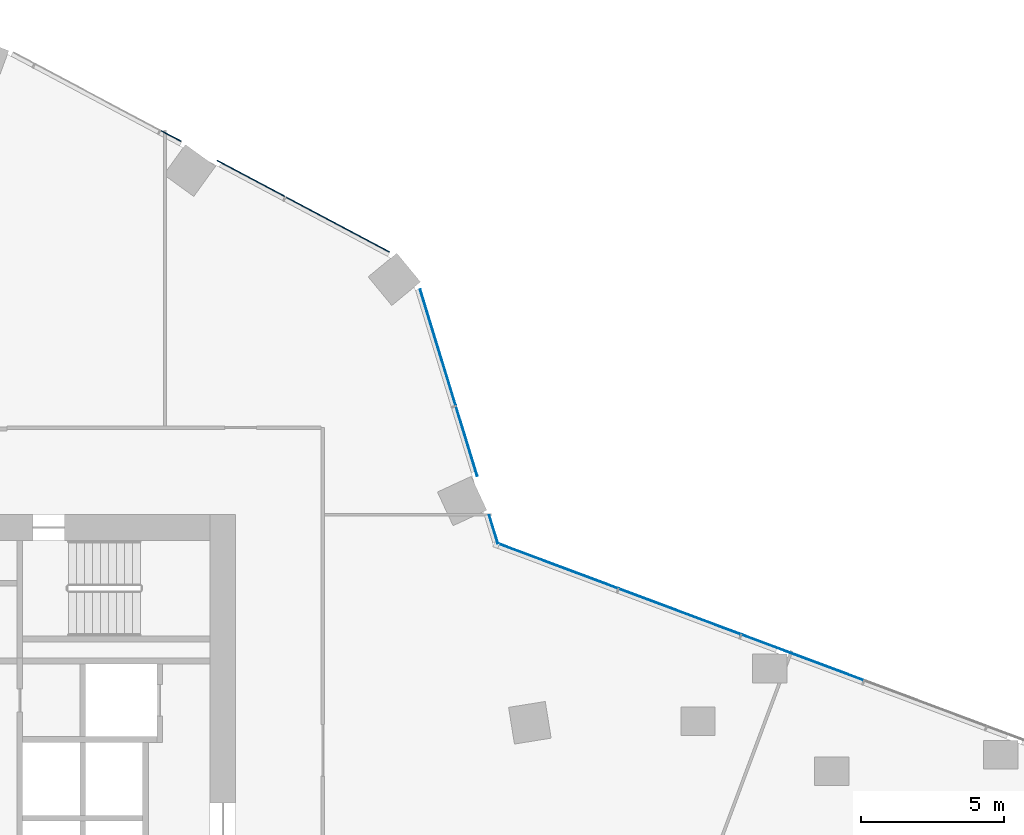
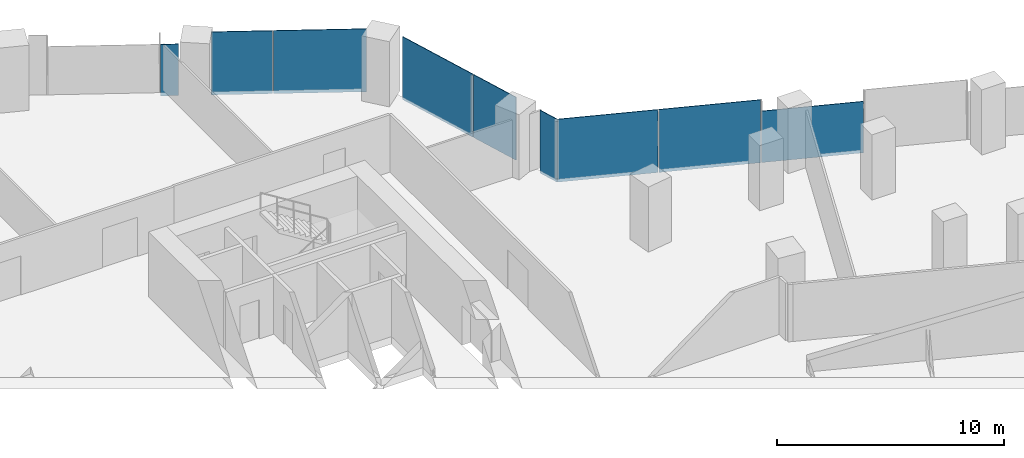
# One storey, part 22 of 31: 9 plates, 3 elements without a shape of their own.
"""IFC4 building model written with IfcOpenShell, lengths in metres."""

from ifc_helpers import new_model, si_unit, direction, frame, origin, origin_2d, place, context, subcontext, project, spatial, rectangle, extrude, material, layer, layer_set, type_object, element, aggregate, save


model = new_model("IFC4")

# Units and contexts
model_context = context("Model", 3, precision=1e-05, world=origin(), true_north=direction((0.0, 1.0)))
body_context = subcontext(model_context, "Body", "Model", "MODEL_VIEW")
ifc_project = project(units=[si_unit("LENGTHUNIT", "METRE"), si_unit("AREAUNIT", "SQUARE_METRE"), si_unit("VOLUMEUNIT", "CUBIC_METRE"), si_unit("PLANEANGLEUNIT", "RADIAN"), si_unit("MASSUNIT", "GRAM", prefix="KILO")], contexts=[model_context])

# Site, building, storey
site_placement = place(None, origin())
site = spatial("IfcSite", under=ifc_project, at=site_placement, CompositionType="ELEMENT")
building_placement = place(site_placement, origin())
building = spatial("IfcBuilding", under=site, at=building_placement, Name="Orlundy Tower", CompositionType="ELEMENT")
storey_placement = place(building_placement, frame((0.0, 0.0, 94.699951171875)))
storey = spatial("IfcBuildingStorey", under=building, at=storey_placement, Name="L23", CompositionType="ELEMENT", Elevation=94.699951171875)

# Curtain wall, plates
ifc_material_1 = material(Name="Aluminium bronze anodised", Category="aluminium")
curtain_wall_type = type_object("IfcCurtainWallType", Name="CW1 wall", PredefinedType="NOTDEFINED", material=ifc_material_1)
curtain_wall_1_placement = place(storey_placement, origin())
curtain_wall_1 = element("IfcCurtainWall", 1, at=curtain_wall_1_placement, inside=storey, type_object=curtain_wall_type, Name="CW1 run 04", PredefinedType="NOTDEFINED")
ifc_material_2 = material(Name="Tinted glass", Category="glass")
ifc_layer = layer(ifc_material_2, 0.031982421875)
ifc_layer_set = layer_set([ifc_layer], Name="CW1 glass panel 32")
plate_type = type_object("IfcPlateType", Name="CW1 glass panel 32", PredefinedType="CURTAIN_PANEL", material=ifc_layer_set)
plate_1_placement = place(storey_placement, frame((16.729248046875, 25.267822265625, -0.27978515625), z_axis=(0.0, 0.0, 1.0), x_axis=(0.882961465544, -0.469445471129, 0.0)))
plate_1 = element("IfcPlate", 2, at=plate_1_placement, type_object=plate_type, Name="CW1 panel", PredefinedType="CURTAIN_PANEL", context=body_context, shape_type="SweptSolid", body=[
    extrude(rectangle(XDim=0.796875, YDim=0.031982421875, at=origin_2d()), origin(), (0.0, 0.0, 1.0), 2.763916015625),
])
plate_2_placement = place(storey_placement, frame((19.534912109375, 23.776123046875, -0.27978515625), z_axis=(0.0, 0.0, 1.0), x_axis=(0.882961465544, -0.469445471129, 0.0)))
plate_2 = element("IfcPlate", 3, at=plate_2_placement, type_object=plate_type, Name="CW1 panel", PredefinedType="CURTAIN_PANEL", context=body_context, shape_type="SweptSolid", body=[
    extrude(rectangle(XDim=2.68896484375, YDim=0.031982421875, at=origin_2d()), origin(), (0.0, 0.0, 1.0), 3.3798828125),
])
plate_3_placement = place(storey_placement, frame((22.57373046875, 22.160400390625, -0.27978515625), z_axis=(0.0, 0.0, 1.0), x_axis=(0.882961465544, -0.469445471129, 0.0)))
plate_3 = element("IfcPlate", 4, at=plate_3_placement, type_object=plate_type, Name="CW1 panel", PredefinedType="CURTAIN_PANEL", context=body_context, shape_type="SweptSolid", body=[
    extrude(rectangle(XDim=4.09423828125, YDim=0.031982421875, at=origin_2d()), origin(), (0.0, 0.0, 1.0), 3.3798828125),
])
aggregate(curtain_wall_1, [plate_1, plate_2, plate_3])

curtain_wall_2_placement = place(storey_placement, origin())
curtain_wall_2 = element("IfcCurtainWall", 5, at=curtain_wall_2_placement, inside=storey, type_object=curtain_wall_type, Name="CW1 run 05", PredefinedType="NOTDEFINED")
plate_4_placement = place(storey_placement, frame((26.08203125, 17.859619140625, -0.27978515625), z_axis=(0.0, 0.0, 1.0), x_axis=(0.292362470314, -0.956307579156, 0.0)))
plate_4 = element("IfcPlate", 6, at=plate_4_placement, type_object=plate_type, Name="CW1 panel", PredefinedType="CURTAIN_PANEL", context=body_context, shape_type="SweptSolid", body=[
    extrude(rectangle(XDim=4.24072265625, YDim=0.031982421875, at=origin_2d()), origin(), (0.0, 0.0, 1.0), 3.3798828125),
])
plate_5_placement = place(storey_placement, frame((27.087646484375, 14.570068359375, -0.27978515625), z_axis=(0.0, 0.0, 1.0), x_axis=(0.292362470314, -0.956307579156, 0.0)))
plate_5 = element("IfcPlate", 7, at=plate_5_placement, type_object=plate_type, Name="CW1 panel", PredefinedType="CURTAIN_PANEL", context=body_context, shape_type="SweptSolid", body=[
    extrude(rectangle(XDim=2.53857421875, YDim=0.031982421875, at=origin_2d()), origin(), (0.0, 0.0, 1.0), 3.3798828125),
])
plate_6_placement = place(storey_placement, frame((28.03076171875, 11.48583984375, -0.27978515625), z_axis=(0.0, 0.0, 1.0), x_axis=(0.292362470314, -0.956307579156, 0.0)))
plate_6 = element("IfcPlate", 8, at=plate_6_placement, type_object=plate_type, Name="CW1 panel", PredefinedType="CURTAIN_PANEL", context=body_context, shape_type="SweptSolid", body=[
    extrude(rectangle(XDim=1.036376953125, YDim=0.031982421875, at=origin_2d()), origin(), (0.0, 0.0, 1.0), 3.3798828125),
])
aggregate(curtain_wall_2, [plate_4, plate_5, plate_6])

curtain_wall_3_placement = place(storey_placement, origin())
curtain_wall_3 = element("IfcCurtainWall", 9, at=curtain_wall_3_placement, inside=storey, type_object=curtain_wall_type, Name="CW1 run 06", PredefinedType="NOTDEFINED")
plate_7_placement = place(storey_placement, frame((30.28173828125, 10.205322265625, -0.27978515625), z_axis=(0.0, 0.0, 1.0), x_axis=(0.93667352363, -0.350203812273, 0.0)))
plate_7 = element("IfcPlate", 10, at=plate_7_placement, type_object=plate_type, Name="CW1 panel", PredefinedType="CURTAIN_PANEL", context=body_context, shape_type="SweptSolid", body=[
    extrude(rectangle(XDim=4.48291015625, YDim=0.031982421875, at=origin_2d()), origin(), (0.0, 0.0, 1.0), 3.3798828125),
])
plate_8_placement = place(storey_placement, frame((34.5537109375, 8.608154296875, -0.27978515625), z_axis=(0.0, 0.0, 1.0), x_axis=(0.93667352363, -0.350203812273, 0.0)))
plate_8 = element("IfcPlate", 11, at=plate_8_placement, type_object=plate_type, Name="CW1 panel", PredefinedType="CURTAIN_PANEL", context=body_context, shape_type="SweptSolid", body=[
    extrude(rectangle(XDim=4.538818359375, YDim=0.031982421875, at=origin_2d()), origin(), (0.0, 0.0, 1.0), 3.3798828125),
])
plate_9_placement = place(storey_placement, frame((38.851806640625, 7.001220703125, -0.27978515625), z_axis=(0.0, 0.0, 1.0), x_axis=(0.93667352363, -0.350203812273, 0.0)))
plate_9 = element("IfcPlate", 12, at=plate_9_placement, type_object=plate_type, Name="CW1 panel", PredefinedType="CURTAIN_PANEL", context=body_context, shape_type="SweptSolid", body=[
    extrude(rectangle(XDim=4.538818359375, YDim=0.031982421875, at=origin_2d()), origin(), (0.0, 0.0, 1.0), 2.763916015625),
])
aggregate(curtain_wall_3, [plate_7, plate_8, plate_9])

save(model, "model.ifc")
